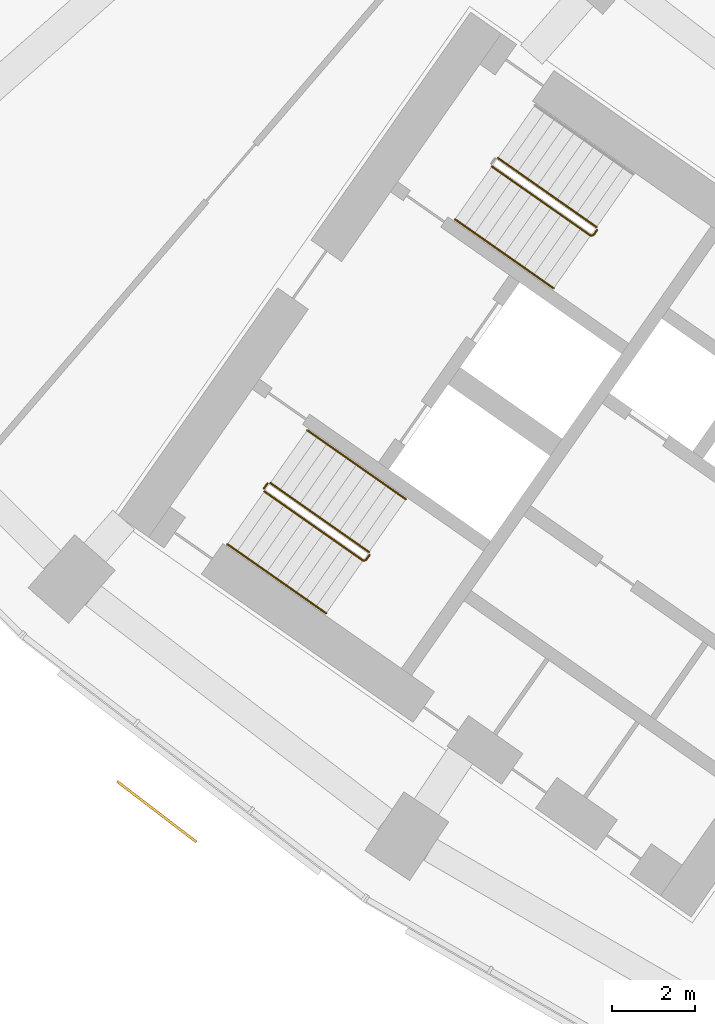
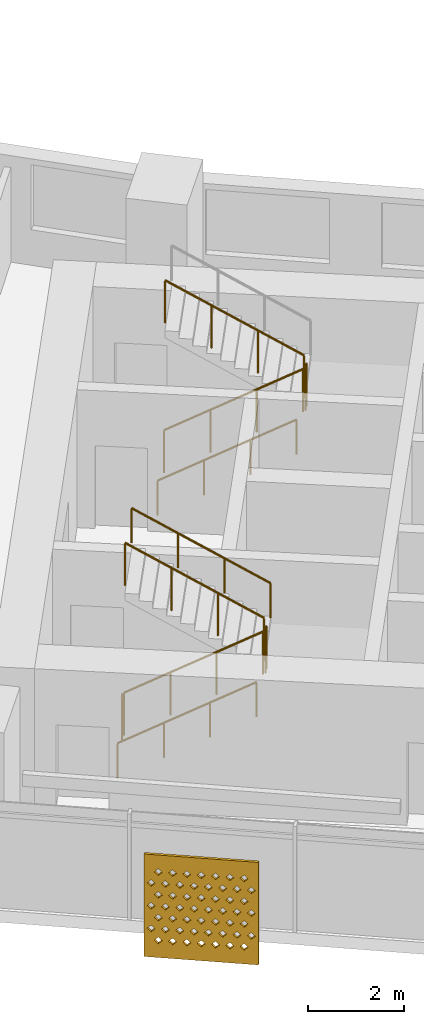
# One storey, part 26 of 31: 8 railings, 1 shading device.
"""IFC4 building model written with IfcOpenShell, lengths in metres."""

from ifc_helpers import new_model, si_unit, direction, frame, origin, origin_2d, place, context, subcontext, project, spatial, polyline, circle, outline, extrude, material, material_profile, profile_set, type_object, element, save


model = new_model("IFC4")

# Units and contexts
model_context = context("Model", 3, precision=1e-05, world=origin(), true_north=direction((0.0, 1.0)))
body_context = subcontext(model_context, "Body", "Model", "MODEL_VIEW")
ifc_project = project(units=[si_unit("LENGTHUNIT", "METRE"), si_unit("AREAUNIT", "SQUARE_METRE"), si_unit("VOLUMEUNIT", "CUBIC_METRE"), si_unit("PLANEANGLEUNIT", "RADIAN"), si_unit("MASSUNIT", "GRAM", prefix="KILO")], contexts=[model_context])

# Site, building, storey
site_placement = place(None, origin())
site = spatial("IfcSite", under=ifc_project, at=site_placement, CompositionType="ELEMENT")
building_placement = place(site_placement, origin())
building = spatial("IfcBuilding", under=site, at=building_placement, Name="Qamariyya Broadcast Tower", CompositionType="ELEMENT")
storey_placement = place(building_placement, frame((0.0, 0.0, 59.5)))
storey = spatial("IfcBuildingStorey", under=building, at=storey_placement, Name="L11", CompositionType="ELEMENT", Elevation=59.5)

# Shading device
ifc_material_1 = material(Name="Perforated glazed terracotta", Category="masonry")
ifc_material_profile = material_profile(ifc_material_1, outline(polyline([(-1.199951171875, -1.300048828125), (1.199951171875, -1.300048828125), (1.199951171875, 1.300048828125), (-1.199951171875, 1.300048828125), (-1.199951171875, -1.300048828125)]), holes=[polyline([(-0.81494140625, -0.86669921875), (-0.89990234375, -0.78173828125), (-0.985107421875, -0.86669921875), (-0.89990234375, -0.95166015625), (-0.81494140625, -0.86669921875)]), polyline([(-0.514892578125, -0.86669921875), (-0.60009765625, -0.78173828125), (-0.68505859375, -0.86669921875), (-0.60009765625, -0.95166015625), (-0.514892578125, -0.86669921875)]), polyline([(-0.215087890625, -0.86669921875), (-0.300048828125, -0.78173828125), (-0.385009765625, -0.86669921875), (-0.300048828125, -0.95166015625), (-0.215087890625, -0.86669921875)]), polyline([(0.0849609375, -0.86669921875), (0.0, -0.78173828125), (-0.0849609375, -0.86669921875), (0.0, -0.95166015625), (0.0849609375, -0.86669921875)]), polyline([(0.385009765625, -0.86669921875), (0.300048828125, -0.78173828125), (0.215087890625, -0.86669921875), (0.300048828125, -0.95166015625), (0.385009765625, -0.86669921875)]), polyline([(0.68505859375, -0.86669921875), (0.60009765625, -0.78173828125), (0.514892578125, -0.86669921875), (0.60009765625, -0.95166015625), (0.68505859375, -0.86669921875)]), polyline([(0.985107421875, -0.86669921875), (0.89990234375, -0.78173828125), (0.81494140625, -0.86669921875), (0.89990234375, -0.95166015625), (0.985107421875, -0.86669921875)]), polyline([(-0.965087890625, -0.577880859375), (-1.050048828125, -0.49267578125), (-1.135009765625, -0.577880859375), (-1.050048828125, -0.662841796875), (-0.965087890625, -0.577880859375)]), polyline([(-0.6650390625, -0.577880859375), (-0.75, -0.49267578125), (-0.8349609375, -0.577880859375), (-0.75, -0.662841796875), (-0.6650390625, -0.577880859375)]), polyline([(-0.364990234375, -0.577880859375), (-0.449951171875, -0.49267578125), (-0.534912109375, -0.577880859375), (-0.449951171875, -0.662841796875), (-0.364990234375, -0.577880859375)]), polyline([(-0.06494140625, -0.577880859375), (-0.14990234375, -0.49267578125), (-0.235107421875, -0.577880859375), (-0.14990234375, -0.662841796875), (-0.06494140625, -0.577880859375)]), polyline([(0.235107421875, -0.577880859375), (0.14990234375, -0.49267578125), (0.06494140625, -0.577880859375), (0.14990234375, -0.662841796875), (0.235107421875, -0.577880859375)]), polyline([(0.534912109375, -0.577880859375), (0.449951171875, -0.49267578125), (0.364990234375, -0.577880859375), (0.449951171875, -0.662841796875), (0.534912109375, -0.577880859375)]), polyline([(0.8349609375, -0.577880859375), (0.75, -0.49267578125), (0.6650390625, -0.577880859375), (0.75, -0.662841796875), (0.8349609375, -0.577880859375)]), polyline([(1.135009765625, -0.577880859375), (1.050048828125, -0.49267578125), (0.965087890625, -0.577880859375), (1.050048828125, -0.662841796875), (1.135009765625, -0.577880859375)]), polyline([(-0.81494140625, -0.288818359375), (-0.89990234375, -0.203857421875), (-0.985107421875, -0.288818359375), (-0.89990234375, -0.373779296875), (-0.81494140625, -0.288818359375)]), polyline([(-0.514892578125, -0.288818359375), (-0.60009765625, -0.203857421875), (-0.68505859375, -0.288818359375), (-0.60009765625, -0.373779296875), (-0.514892578125, -0.288818359375)]), polyline([(-0.215087890625, -0.288818359375), (-0.300048828125, -0.203857421875), (-0.385009765625, -0.288818359375), (-0.300048828125, -0.373779296875), (-0.215087890625, -0.288818359375)]), polyline([(0.0849609375, -0.288818359375), (0.0, -0.203857421875), (-0.0849609375, -0.288818359375), (0.0, -0.373779296875), (0.0849609375, -0.288818359375)]), polyline([(0.385009765625, -0.288818359375), (0.300048828125, -0.203857421875), (0.215087890625, -0.288818359375), (0.300048828125, -0.373779296875), (0.385009765625, -0.288818359375)]), polyline([(0.68505859375, -0.288818359375), (0.60009765625, -0.203857421875), (0.514892578125, -0.288818359375), (0.60009765625, -0.373779296875), (0.68505859375, -0.288818359375)]), polyline([(0.985107421875, -0.288818359375), (0.89990234375, -0.203857421875), (0.81494140625, -0.288818359375), (0.89990234375, -0.373779296875), (0.985107421875, -0.288818359375)]), polyline([(-0.965087890625, 0.0), (-1.050048828125, 0.0849609375), (-1.135009765625, 0.0), (-1.050048828125, -0.0849609375), (-0.965087890625, 0.0)]), polyline([(-0.6650390625, 0.0), (-0.75, 0.0849609375), (-0.8349609375, 0.0), (-0.75, -0.0849609375), (-0.6650390625, 0.0)]), polyline([(-0.364990234375, 0.0), (-0.449951171875, 0.0849609375), (-0.534912109375, 0.0), (-0.449951171875, -0.0849609375), (-0.364990234375, 0.0)]), polyline([(-0.06494140625, 0.0), (-0.14990234375, 0.0849609375), (-0.235107421875, 0.0), (-0.14990234375, -0.0849609375), (-0.06494140625, 0.0)]), polyline([(0.235107421875, 0.0), (0.14990234375, 0.0849609375), (0.06494140625, 0.0), (0.14990234375, -0.0849609375), (0.235107421875, 0.0)]), polyline([(0.534912109375, 0.0), (0.449951171875, 0.0849609375), (0.364990234375, 0.0), (0.449951171875, -0.0849609375), (0.534912109375, 0.0)]), polyline([(0.8349609375, 0.0), (0.75, 0.0849609375), (0.6650390625, 0.0), (0.75, -0.0849609375), (0.8349609375, 0.0)]), polyline([(1.135009765625, 0.0), (1.050048828125, 0.0849609375), (0.965087890625, 0.0), (1.050048828125, -0.0849609375), (1.135009765625, 0.0)]), polyline([(-0.81494140625, 0.288818359375), (-0.89990234375, 0.373779296875), (-0.985107421875, 0.288818359375), (-0.89990234375, 0.203857421875), (-0.81494140625, 0.288818359375)]), polyline([(-0.514892578125, 0.288818359375), (-0.60009765625, 0.373779296875), (-0.68505859375, 0.288818359375), (-0.60009765625, 0.203857421875), (-0.514892578125, 0.288818359375)]), polyline([(-0.215087890625, 0.288818359375), (-0.300048828125, 0.373779296875), (-0.385009765625, 0.288818359375), (-0.300048828125, 0.203857421875), (-0.215087890625, 0.288818359375)]), polyline([(0.0849609375, 0.288818359375), (0.0, 0.373779296875), (-0.0849609375, 0.288818359375), (0.0, 0.203857421875), (0.0849609375, 0.288818359375)]), polyline([(0.385009765625, 0.288818359375), (0.300048828125, 0.373779296875), (0.215087890625, 0.288818359375), (0.300048828125, 0.203857421875), (0.385009765625, 0.288818359375)]), polyline([(0.68505859375, 0.288818359375), (0.60009765625, 0.373779296875), (0.514892578125, 0.288818359375), (0.60009765625, 0.203857421875), (0.68505859375, 0.288818359375)]), polyline([(0.985107421875, 0.288818359375), (0.89990234375, 0.373779296875), (0.81494140625, 0.288818359375), (0.89990234375, 0.203857421875), (0.985107421875, 0.288818359375)]), polyline([(-0.965087890625, 0.577880859375), (-1.050048828125, 0.662841796875), (-1.135009765625, 0.577880859375), (-1.050048828125, 0.49267578125), (-0.965087890625, 0.577880859375)]), polyline([(-0.6650390625, 0.577880859375), (-0.75, 0.662841796875), (-0.8349609375, 0.577880859375), (-0.75, 0.49267578125), (-0.6650390625, 0.577880859375)]), polyline([(-0.364990234375, 0.577880859375), (-0.449951171875, 0.662841796875), (-0.534912109375, 0.577880859375), (-0.449951171875, 0.49267578125), (-0.364990234375, 0.577880859375)]), polyline([(-0.06494140625, 0.577880859375), (-0.14990234375, 0.662841796875), (-0.235107421875, 0.577880859375), (-0.14990234375, 0.49267578125), (-0.06494140625, 0.577880859375)]), polyline([(0.235107421875, 0.577880859375), (0.14990234375, 0.662841796875), (0.06494140625, 0.577880859375), (0.14990234375, 0.49267578125), (0.235107421875, 0.577880859375)]), polyline([(0.534912109375, 0.577880859375), (0.449951171875, 0.662841796875), (0.364990234375, 0.577880859375), (0.449951171875, 0.49267578125), (0.534912109375, 0.577880859375)]), polyline([(0.8349609375, 0.577880859375), (0.75, 0.662841796875), (0.6650390625, 0.577880859375), (0.75, 0.49267578125), (0.8349609375, 0.577880859375)]), polyline([(1.135009765625, 0.577880859375), (1.050048828125, 0.662841796875), (0.965087890625, 0.577880859375), (1.050048828125, 0.49267578125), (1.135009765625, 0.577880859375)]), polyline([(-0.81494140625, 0.86669921875), (-0.89990234375, 0.95166015625), (-0.985107421875, 0.86669921875), (-0.89990234375, 0.78173828125), (-0.81494140625, 0.86669921875)]), polyline([(-0.514892578125, 0.86669921875), (-0.60009765625, 0.95166015625), (-0.68505859375, 0.86669921875), (-0.60009765625, 0.78173828125), (-0.514892578125, 0.86669921875)]), polyline([(-0.215087890625, 0.86669921875), (-0.300048828125, 0.95166015625), (-0.385009765625, 0.86669921875), (-0.300048828125, 0.78173828125), (-0.215087890625, 0.86669921875)]), polyline([(0.0849609375, 0.86669921875), (0.0, 0.95166015625), (-0.0849609375, 0.86669921875), (0.0, 0.78173828125), (0.0849609375, 0.86669921875)]), polyline([(0.385009765625, 0.86669921875), (0.300048828125, 0.95166015625), (0.215087890625, 0.86669921875), (0.300048828125, 0.78173828125), (0.385009765625, 0.86669921875)]), polyline([(0.68505859375, 0.86669921875), (0.60009765625, 0.95166015625), (0.514892578125, 0.86669921875), (0.60009765625, 0.78173828125), (0.68505859375, 0.86669921875)]), polyline([(0.985107421875, 0.86669921875), (0.89990234375, 0.95166015625), (0.81494140625, 0.86669921875), (0.89990234375, 0.78173828125), (0.985107421875, 0.86669921875)])]))
ifc_profile_set = profile_set([ifc_material_profile], Name="Perforated glazed terracotta")
shading_device_type = type_object("IfcShadingDeviceType", Name="Perforated terracotta screen 2400 x 2600", PredefinedType="USERDEFINED", material=ifc_profile_set)
shading_device_placement = place(storey_placement, frame((-49.19873046875, -64.031005859375, 1.35009765625), z_axis=(-0.607147566278, -0.794589096806, 0.0), x_axis=(0.794589096806, -0.607147566278, 0.0)))
element("IfcShadingDevice", 1, at=shading_device_placement, inside=storey, type_object=shading_device_type, Name="e-scr-L11-03-1", ObjectType="SCREEN", PredefinedType="USERDEFINED", context=body_context, shape_type="SweptSolid", body=[
    extrude(outline(polyline([(-1.199951171875, -1.300048828125), (1.199951171875, -1.300048828125), (1.199951171875, 1.300048828125), (-1.199951171875, 1.300048828125), (-1.199951171875, -1.300048828125)]), holes=[polyline([(-0.81494140625, -0.86669921875), (-0.89990234375, -0.78173828125), (-0.985107421875, -0.86669921875), (-0.89990234375, -0.95166015625), (-0.81494140625, -0.86669921875)]), polyline([(-0.514892578125, -0.86669921875), (-0.60009765625, -0.78173828125), (-0.68505859375, -0.86669921875), (-0.60009765625, -0.95166015625), (-0.514892578125, -0.86669921875)]), polyline([(-0.215087890625, -0.86669921875), (-0.300048828125, -0.78173828125), (-0.385009765625, -0.86669921875), (-0.300048828125, -0.95166015625), (-0.215087890625, -0.86669921875)]), polyline([(0.0849609375, -0.86669921875), (0.0, -0.78173828125), (-0.0849609375, -0.86669921875), (0.0, -0.95166015625), (0.0849609375, -0.86669921875)]), polyline([(0.385009765625, -0.86669921875), (0.300048828125, -0.78173828125), (0.215087890625, -0.86669921875), (0.300048828125, -0.95166015625), (0.385009765625, -0.86669921875)]), polyline([(0.68505859375, -0.86669921875), (0.60009765625, -0.78173828125), (0.514892578125, -0.86669921875), (0.60009765625, -0.95166015625), (0.68505859375, -0.86669921875)]), polyline([(0.985107421875, -0.86669921875), (0.89990234375, -0.78173828125), (0.81494140625, -0.86669921875), (0.89990234375, -0.95166015625), (0.985107421875, -0.86669921875)]), polyline([(-0.965087890625, -0.577880859375), (-1.050048828125, -0.49267578125), (-1.135009765625, -0.577880859375), (-1.050048828125, -0.662841796875), (-0.965087890625, -0.577880859375)]), polyline([(-0.6650390625, -0.577880859375), (-0.75, -0.49267578125), (-0.8349609375, -0.577880859375), (-0.75, -0.662841796875), (-0.6650390625, -0.577880859375)]), polyline([(-0.364990234375, -0.577880859375), (-0.449951171875, -0.49267578125), (-0.534912109375, -0.577880859375), (-0.449951171875, -0.662841796875), (-0.364990234375, -0.577880859375)]), polyline([(-0.06494140625, -0.577880859375), (-0.14990234375, -0.49267578125), (-0.235107421875, -0.577880859375), (-0.14990234375, -0.662841796875), (-0.06494140625, -0.577880859375)]), polyline([(0.235107421875, -0.577880859375), (0.14990234375, -0.49267578125), (0.06494140625, -0.577880859375), (0.14990234375, -0.662841796875), (0.235107421875, -0.577880859375)]), polyline([(0.534912109375, -0.577880859375), (0.449951171875, -0.49267578125), (0.364990234375, -0.577880859375), (0.449951171875, -0.662841796875), (0.534912109375, -0.577880859375)]), polyline([(0.8349609375, -0.577880859375), (0.75, -0.49267578125), (0.6650390625, -0.577880859375), (0.75, -0.662841796875), (0.8349609375, -0.577880859375)]), polyline([(1.135009765625, -0.577880859375), (1.050048828125, -0.49267578125), (0.965087890625, -0.577880859375), (1.050048828125, -0.662841796875), (1.135009765625, -0.577880859375)]), polyline([(-0.81494140625, -0.288818359375), (-0.89990234375, -0.203857421875), (-0.985107421875, -0.288818359375), (-0.89990234375, -0.373779296875), (-0.81494140625, -0.288818359375)]), polyline([(-0.514892578125, -0.288818359375), (-0.60009765625, -0.203857421875), (-0.68505859375, -0.288818359375), (-0.60009765625, -0.373779296875), (-0.514892578125, -0.288818359375)]), polyline([(-0.215087890625, -0.288818359375), (-0.300048828125, -0.203857421875), (-0.385009765625, -0.288818359375), (-0.300048828125, -0.373779296875), (-0.215087890625, -0.288818359375)]), polyline([(0.0849609375, -0.288818359375), (0.0, -0.203857421875), (-0.0849609375, -0.288818359375), (0.0, -0.373779296875), (0.0849609375, -0.288818359375)]), polyline([(0.385009765625, -0.288818359375), (0.300048828125, -0.203857421875), (0.215087890625, -0.288818359375), (0.300048828125, -0.373779296875), (0.385009765625, -0.288818359375)]), polyline([(0.68505859375, -0.288818359375), (0.60009765625, -0.203857421875), (0.514892578125, -0.288818359375), (0.60009765625, -0.373779296875), (0.68505859375, -0.288818359375)]), polyline([(0.985107421875, -0.288818359375), (0.89990234375, -0.203857421875), (0.81494140625, -0.288818359375), (0.89990234375, -0.373779296875), (0.985107421875, -0.288818359375)]), polyline([(-0.965087890625, 0.0), (-1.050048828125, 0.0849609375), (-1.135009765625, 0.0), (-1.050048828125, -0.0849609375), (-0.965087890625, 0.0)]), polyline([(-0.6650390625, 0.0), (-0.75, 0.0849609375), (-0.8349609375, 0.0), (-0.75, -0.0849609375), (-0.6650390625, 0.0)]), polyline([(-0.364990234375, 0.0), (-0.449951171875, 0.0849609375), (-0.534912109375, 0.0), (-0.449951171875, -0.0849609375), (-0.364990234375, 0.0)]), polyline([(-0.06494140625, 0.0), (-0.14990234375, 0.0849609375), (-0.235107421875, 0.0), (-0.14990234375, -0.0849609375), (-0.06494140625, 0.0)]), polyline([(0.235107421875, 0.0), (0.14990234375, 0.0849609375), (0.06494140625, 0.0), (0.14990234375, -0.0849609375), (0.235107421875, 0.0)]), polyline([(0.534912109375, 0.0), (0.449951171875, 0.0849609375), (0.364990234375, 0.0), (0.449951171875, -0.0849609375), (0.534912109375, 0.0)]), polyline([(0.8349609375, 0.0), (0.75, 0.0849609375), (0.6650390625, 0.0), (0.75, -0.0849609375), (0.8349609375, 0.0)]), polyline([(1.135009765625, 0.0), (1.050048828125, 0.0849609375), (0.965087890625, 0.0), (1.050048828125, -0.0849609375), (1.135009765625, 0.0)]), polyline([(-0.81494140625, 0.288818359375), (-0.89990234375, 0.373779296875), (-0.985107421875, 0.288818359375), (-0.89990234375, 0.203857421875), (-0.81494140625, 0.288818359375)]), polyline([(-0.514892578125, 0.288818359375), (-0.60009765625, 0.373779296875), (-0.68505859375, 0.288818359375), (-0.60009765625, 0.203857421875), (-0.514892578125, 0.288818359375)]), polyline([(-0.215087890625, 0.288818359375), (-0.300048828125, 0.373779296875), (-0.385009765625, 0.288818359375), (-0.300048828125, 0.203857421875), (-0.215087890625, 0.288818359375)]), polyline([(0.0849609375, 0.288818359375), (0.0, 0.373779296875), (-0.0849609375, 0.288818359375), (0.0, 0.203857421875), (0.0849609375, 0.288818359375)]), polyline([(0.385009765625, 0.288818359375), (0.300048828125, 0.373779296875), (0.215087890625, 0.288818359375), (0.300048828125, 0.203857421875), (0.385009765625, 0.288818359375)]), polyline([(0.68505859375, 0.288818359375), (0.60009765625, 0.373779296875), (0.514892578125, 0.288818359375), (0.60009765625, 0.203857421875), (0.68505859375, 0.288818359375)]), polyline([(0.985107421875, 0.288818359375), (0.89990234375, 0.373779296875), (0.81494140625, 0.288818359375), (0.89990234375, 0.203857421875), (0.985107421875, 0.288818359375)]), polyline([(-0.965087890625, 0.577880859375), (-1.050048828125, 0.662841796875), (-1.135009765625, 0.577880859375), (-1.050048828125, 0.49267578125), (-0.965087890625, 0.577880859375)]), polyline([(-0.6650390625, 0.577880859375), (-0.75, 0.662841796875), (-0.8349609375, 0.577880859375), (-0.75, 0.49267578125), (-0.6650390625, 0.577880859375)]), polyline([(-0.364990234375, 0.577880859375), (-0.449951171875, 0.662841796875), (-0.534912109375, 0.577880859375), (-0.449951171875, 0.49267578125), (-0.364990234375, 0.577880859375)]), polyline([(-0.06494140625, 0.577880859375), (-0.14990234375, 0.662841796875), (-0.235107421875, 0.577880859375), (-0.14990234375, 0.49267578125), (-0.06494140625, 0.577880859375)]), polyline([(0.235107421875, 0.577880859375), (0.14990234375, 0.662841796875), (0.06494140625, 0.577880859375), (0.14990234375, 0.49267578125), (0.235107421875, 0.577880859375)]), polyline([(0.534912109375, 0.577880859375), (0.449951171875, 0.662841796875), (0.364990234375, 0.577880859375), (0.449951171875, 0.49267578125), (0.534912109375, 0.577880859375)]), polyline([(0.8349609375, 0.577880859375), (0.75, 0.662841796875), (0.6650390625, 0.577880859375), (0.75, 0.49267578125), (0.8349609375, 0.577880859375)]), polyline([(1.135009765625, 0.577880859375), (1.050048828125, 0.662841796875), (0.965087890625, 0.577880859375), (1.050048828125, 0.49267578125), (1.135009765625, 0.577880859375)]), polyline([(-0.81494140625, 0.86669921875), (-0.89990234375, 0.95166015625), (-0.985107421875, 0.86669921875), (-0.89990234375, 0.78173828125), (-0.81494140625, 0.86669921875)]), polyline([(-0.514892578125, 0.86669921875), (-0.60009765625, 0.95166015625), (-0.68505859375, 0.86669921875), (-0.60009765625, 0.78173828125), (-0.514892578125, 0.86669921875)]), polyline([(-0.215087890625, 0.86669921875), (-0.300048828125, 0.95166015625), (-0.385009765625, 0.86669921875), (-0.300048828125, 0.78173828125), (-0.215087890625, 0.86669921875)]), polyline([(0.0849609375, 0.86669921875), (0.0, 0.95166015625), (-0.0849609375, 0.86669921875), (0.0, 0.78173828125), (0.0849609375, 0.86669921875)]), polyline([(0.385009765625, 0.86669921875), (0.300048828125, 0.95166015625), (0.215087890625, 0.86669921875), (0.300048828125, 0.78173828125), (0.385009765625, 0.86669921875)]), polyline([(0.68505859375, 0.86669921875), (0.60009765625, 0.95166015625), (0.514892578125, 0.86669921875), (0.60009765625, 0.78173828125), (0.68505859375, 0.86669921875)]), polyline([(0.985107421875, 0.86669921875), (0.89990234375, 0.95166015625), (0.81494140625, 0.86669921875), (0.89990234375, 0.78173828125), (0.985107421875, 0.86669921875)])]), origin(), (0.0, 0.0, 1.0), 0.059814453125),
])

# Railings
ifc_material_2 = material(Name="Painted steel", Category="steel")
railing_type_1 = type_object("IfcRailingType", Name="Stair guard", PredefinedType="GUARDRAIL", material=ifc_material_2)
railing_1_placement = place(storey_placement, frame((-41.146728515625, -48.52490234375, 0.172607421875)))
element("IfcRailing", 2, at=railing_1_placement, inside=storey, type_object=railing_type_1, Name="L11 ST-W2 stair guard 1", PredefinedType="GUARDRAIL", context=body_context, shape_type="SweptSolid", body=[
    extrude(circle(Radius=0.02392578125, at=origin_2d()), frame((0.0, 0.0, 1.076171875), z_axis=(0.703770094002, -0.492783725636, 0.511734163933), x_axis=(0.573575343427, 0.819152809562, 0.0)), (0.0, 0.0, 1.0), 3.37548828125),
    extrude(circle(Radius=0.02392578125, at=origin_2d()), frame((2.37548828125, -1.663330078125, 2.80322265625), z_axis=(0.985059694769, 0.172213233351, 0.0), x_axis=(-0.172213233351, 0.985059694769, 0.0)), (0.0, 0.0, 1.0), 0.07080078125),
    extrude(circle(Radius=0.02392578125, at=origin_2d()), frame((2.4453125, -1.651123046875, 2.80322265625), z_axis=(0.572588637393, 0.819842821722, 0.0), x_axis=(-0.819842821722, 0.572588637393, 0.0)), (0.0, 0.0, 1.0), 0.150146484375),
    extrude(circle(Radius=0.02099609375, at=origin_2d()), origin(), (0.0, 0.0, 1.0), 1.052001953125),
    extrude(circle(Radius=0.02099609375, at=origin_2d()), frame((0.791748046875, -0.554443359375, 0.57568359375)), (0.0, 0.0, 1.0), 1.052001953125),
    extrude(circle(Radius=0.02099609375, at=origin_2d()), frame((1.583740234375, -1.10888671875, 1.151611328125)), (0.0, 0.0, 1.0), 1.052001953125),
    extrude(circle(Radius=0.02099609375, at=origin_2d()), frame((2.37548828125, -1.663330078125, 1.727294921875)), (0.0, 0.0, 1.0), 1.052001953125),
    extrude(circle(Radius=0.02099609375, at=origin_2d()), frame((2.4453125, -1.651123046875, 1.727294921875)), (0.0, 0.0, 1.0), 1.052001953125),
    extrude(circle(Radius=0.02099609375, at=origin_2d()), frame((2.53125, -1.528076171875, 1.727294921875)), (0.0, 0.0, 1.0), 1.052001953125),
])
railing_2_placement = place(storey_placement, frame((-38.627685546875, -49.9833984375, 2.07275390625)))
element("IfcRailing", 3, at=railing_2_placement, inside=storey, type_object=railing_type_1, Name="L11 ST-W2 stair guard 2", PredefinedType="GUARDRAIL", context=body_context, shape_type="SweptSolid", body=[
    extrude(circle(Radius=0.02392578125, at=origin_2d()), frame((0.0, 0.0, 1.076171875), z_axis=(-0.703770094002, 0.492783725636, 0.511734163933), x_axis=(-0.573575343427, -0.819152809562, 0.0)), (0.0, 0.0, 1.0), 3.37548828125),
    extrude(circle(Radius=0.02099609375, at=origin_2d()), origin(), (0.0, 0.0, 1.0), 1.052001953125),
    extrude(circle(Radius=0.02099609375, at=origin_2d()), frame((-0.791748046875, 0.554443359375, 0.57568359375)), (0.0, 0.0, 1.0), 1.052001953125),
    extrude(circle(Radius=0.02099609375, at=origin_2d()), frame((-1.583740234375, 1.10888671875, 1.151611328125)), (0.0, 0.0, 1.0), 1.052001953125),
    extrude(circle(Radius=0.02099609375, at=origin_2d()), frame((-2.37548828125, 1.663330078125, 1.727294921875)), (0.0, 0.0, 1.0), 1.052001953125),
])
railing_3_placement = place(storey_placement, frame((-46.624267578125, -56.34765625, 0.172607421875)))
element("IfcRailing", 4, at=railing_3_placement, inside=storey, type_object=railing_type_1, Name="L11 ST-W1 stair guard 1", PredefinedType="GUARDRAIL", context=body_context, shape_type="SweptSolid", body=[
    extrude(circle(Radius=0.02392578125, at=origin_2d()), frame((0.0, 0.0, 1.076171875), z_axis=(0.703745009021, -0.492838488332, 0.511715923826), x_axis=(0.573631830683, 0.819113253969, 0.0)), (0.0, 0.0, 1.0), 3.37548828125),
    extrude(circle(Radius=0.02392578125, at=origin_2d()), frame((2.37548828125, -1.66357421875, 2.80322265625), z_axis=(0.984363469884, 0.176149252506, 0.0), x_axis=(-0.176149252506, 0.984363469884, 0.0)), (0.0, 0.0, 1.0), 0.07080078125),
    extrude(circle(Radius=0.02392578125, at=origin_2d()), frame((2.445068359375, -1.651123046875, 2.80322265625), z_axis=(0.574444878118, 0.818543268254, 0.0), x_axis=(-0.818543268254, 0.574444878118, 0.0)), (0.0, 0.0, 1.0), 0.150146484375),
    extrude(circle(Radius=0.02099609375, at=origin_2d()), origin(), (0.0, 0.0, 1.0), 1.052001953125),
    extrude(circle(Radius=0.02099609375, at=origin_2d()), frame((0.791748046875, -0.554443359375, 0.57568359375)), (0.0, 0.0, 1.0), 1.052001953125),
    extrude(circle(Radius=0.02099609375, at=origin_2d()), frame((1.583740234375, -1.109130859375, 1.151611328125)), (0.0, 0.0, 1.0), 1.052001953125),
    extrude(circle(Radius=0.02099609375, at=origin_2d()), frame((2.37548828125, -1.66357421875, 1.727294921875)), (0.0, 0.0, 1.0), 1.052001953125),
    extrude(circle(Radius=0.02099609375, at=origin_2d()), frame((2.445068359375, -1.651123046875, 1.727294921875)), (0.0, 0.0, 1.0), 1.052001953125),
    extrude(circle(Radius=0.02099609375, at=origin_2d()), frame((2.53125, -1.5283203125, 1.727294921875)), (0.0, 0.0, 1.0), 1.052001953125),
])
railing_4_placement = place(storey_placement, frame((-44.10546875, -57.806396484375, 2.07275390625)))
element("IfcRailing", 5, at=railing_4_placement, inside=storey, type_object=railing_type_1, Name="L11 ST-W1 stair guard 2", PredefinedType="GUARDRAIL", context=body_context, shape_type="SweptSolid", body=[
    extrude(circle(Radius=0.02392578125, at=origin_2d()), frame((0.0, 0.0, 1.076171875), z_axis=(-0.703770094002, 0.492783725636, 0.511734163933), x_axis=(-0.573575343427, -0.819152809562, 0.0)), (0.0, 0.0, 1.0), 3.37548828125),
    extrude(circle(Radius=0.02099609375, at=origin_2d()), origin(), (0.0, 0.0, 1.0), 1.052001953125),
    extrude(circle(Radius=0.02099609375, at=origin_2d()), frame((-0.791748046875, 0.554443359375, 0.57568359375)), (0.0, 0.0, 1.0), 1.052001953125),
    extrude(circle(Radius=0.02099609375, at=origin_2d()), frame((-1.583740234375, 1.10888671875, 1.151611328125)), (0.0, 0.0, 1.0), 1.052001953125),
    extrude(circle(Radius=0.02099609375, at=origin_2d()), frame((-2.37548828125, 1.663330078125, 1.727294921875)), (0.0, 0.0, 1.0), 1.052001953125),
])
railing_5_placement = place(storey_placement, frame((-46.63671875, -56.278076171875, 0.0)))
element("IfcRailing", 6, at=railing_5_placement, inside=storey, type_object=railing_type_1, Name="L11 ST-W1 stair guard 3", PredefinedType="GUARDRAIL", context=body_context, shape_type="SweptSolid", body=[
    extrude(circle(Radius=0.02392578125, at=origin_2d()), frame((0.0, 0.0, 1.076171875), z_axis=(0.574444878118, 0.818543268254, 0.0), x_axis=(-0.818543268254, 0.574444878118, 0.0)), (0.0, 0.0, 1.0), 0.150146484375),
    extrude(circle(Radius=0.02099609375, at=origin_2d()), origin(), (0.0, 0.0, 1.0), 1.052001953125),
    extrude(circle(Radius=0.02099609375, at=origin_2d()), frame((0.086181640625, 0.122802734375, 0.0)), (0.0, 0.0, 1.0), 1.052001953125),
])
ifc_material_3 = material(Name="Stainless steel", Category="steel")
railing_type_2 = type_object("IfcRailingType", Name="Stair handrail", PredefinedType="HANDRAIL", material=ifc_material_3)
railing_6_placement = place(storey_placement, frame((-42.03564453125, -49.79443359375, 0.172607421875)))
element("IfcRailing", 7, at=railing_6_placement, inside=storey, type_object=railing_type_2, Name="L11 ST-W2 stair handrail 1", PredefinedType="HANDRAIL", context=body_context, shape_type="SweptSolid", body=[
    extrude(circle(Radius=0.02392578125, at=origin_2d()), frame((0.0, 0.0, 0.8759765625), z_axis=(0.703745009021, -0.492838488332, 0.511715923826), x_axis=(0.573631830683, 0.819113253969, 0.0)), (0.0, 0.0, 1.0), 3.37548828125),
    extrude(circle(Radius=0.02099609375, at=origin_2d()), origin(), (0.0, 0.0, 1.0), 0.851806640625),
    extrude(circle(Radius=0.02099609375, at=origin_2d()), frame((0.791748046875, -0.554443359375, 0.57568359375)), (0.0, 0.0, 1.0), 0.851806640625),
    extrude(circle(Radius=0.02099609375, at=origin_2d()), frame((1.583740234375, -1.109130859375, 1.151611328125)), (0.0, 0.0, 1.0), 0.851806640625),
    extrude(circle(Radius=0.02099609375, at=origin_2d()), frame((2.37548828125, -1.66357421875, 1.727294921875)), (0.0, 0.0, 1.0), 0.851806640625),
])
railing_7_placement = place(storey_placement, frame((-47.513427734375, -57.617431640625, 0.172607421875)))
element("IfcRailing", 8, at=railing_7_placement, inside=storey, type_object=railing_type_2, Name="L11 ST-W1 stair handrail 1", PredefinedType="HANDRAIL", context=body_context, shape_type="SweptSolid", body=[
    extrude(circle(Radius=0.02392578125, at=origin_2d()), frame((0.0, 0.0, 0.8759765625), z_axis=(0.703770094002, -0.492783725636, 0.511734163933), x_axis=(0.573575343427, 0.819152809562, 0.0)), (0.0, 0.0, 1.0), 3.37548828125),
    extrude(circle(Radius=0.02099609375, at=origin_2d()), origin(), (0.0, 0.0, 1.0), 0.851806640625),
    extrude(circle(Radius=0.02099609375, at=origin_2d()), frame((0.791748046875, -0.554443359375, 0.57568359375)), (0.0, 0.0, 1.0), 0.851806640625),
    extrude(circle(Radius=0.02099609375, at=origin_2d()), frame((1.583740234375, -1.10888671875, 1.151611328125)), (0.0, 0.0, 1.0), 0.851806640625),
    extrude(circle(Radius=0.02099609375, at=origin_2d()), frame((2.37548828125, -1.663330078125, 1.727294921875)), (0.0, 0.0, 1.0), 0.851806640625),
])
railing_8_placement = place(storey_placement, frame((-43.21630859375, -56.53662109375, 2.07275390625)))
element("IfcRailing", 9, at=railing_8_placement, inside=storey, type_object=railing_type_2, Name="L11 ST-W1 stair handrail 2", PredefinedType="HANDRAIL", context=body_context, shape_type="SweptSolid", body=[
    extrude(circle(Radius=0.02392578125, at=origin_2d()), frame((0.0, 0.0, 0.8759765625), z_axis=(-0.703770094002, 0.492783725636, 0.511734163933), x_axis=(-0.573575343427, -0.819152809562, 0.0)), (0.0, 0.0, 1.0), 3.37548828125),
    extrude(circle(Radius=0.02099609375, at=origin_2d()), origin(), (0.0, 0.0, 1.0), 0.851806640625),
    extrude(circle(Radius=0.02099609375, at=origin_2d()), frame((-0.791748046875, 0.554443359375, 0.57568359375)), (0.0, 0.0, 1.0), 0.851806640625),
    extrude(circle(Radius=0.02099609375, at=origin_2d()), frame((-1.583740234375, 1.10888671875, 1.151611328125)), (0.0, 0.0, 1.0), 0.851806640625),
    extrude(circle(Radius=0.02099609375, at=origin_2d()), frame((-2.37548828125, 1.663330078125, 1.727294921875)), (0.0, 0.0, 1.0), 0.851806640625),
])

save(model, "model.ifc")
